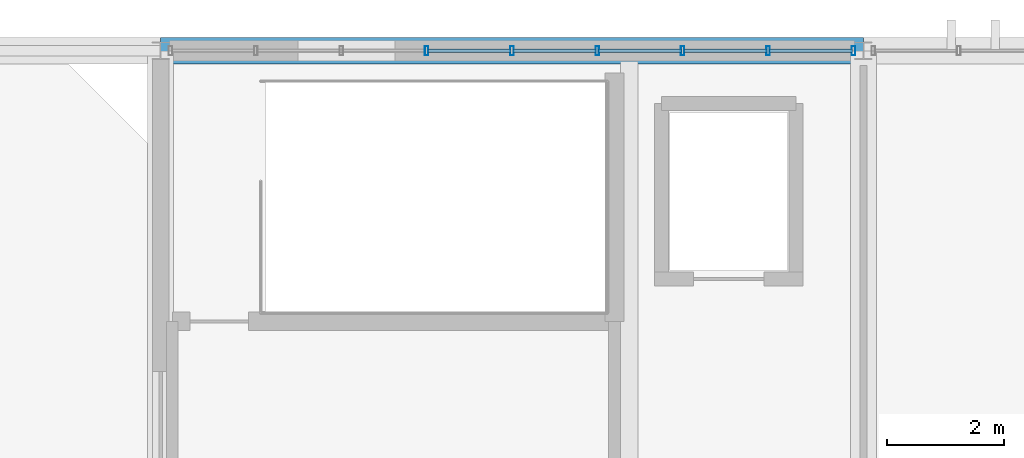
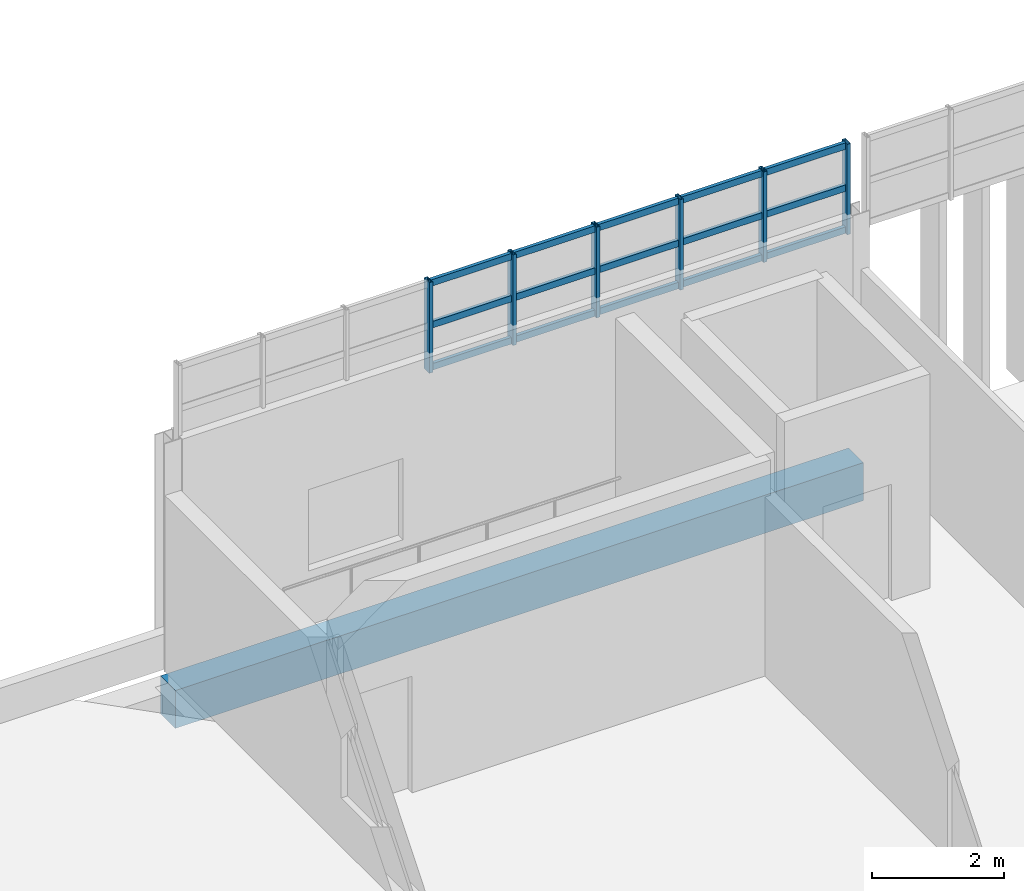
# One storey, part 12 of 36: 21 members, 1 beam, 1 element without a shape of its own.
"""IFC4 building model written with IfcOpenShell, lengths in metres."""

from ifc_helpers import new_model, si_unit, direction, frame, origin, origin_2d, place, context, subcontext, project, spatial, rectangle, hollow_rectangle, extrude, material, layer, layer_set, material_profile, profile_set, type_object, element, aggregate, save


model = new_model("IFC4")

# Units and contexts
model_context = context("Model", 3, precision=1e-05, world=origin(), true_north=direction((0.0, 1.0)))
body_context = subcontext(model_context, "Body", "Model", "MODEL_VIEW")
ifc_project = project(units=[si_unit("LENGTHUNIT", "METRE"), si_unit("AREAUNIT", "SQUARE_METRE"), si_unit("VOLUMEUNIT", "CUBIC_METRE"), si_unit("PLANEANGLEUNIT", "RADIAN"), si_unit("MASSUNIT", "GRAM", prefix="KILO")], contexts=[model_context])

# Site, building, storey
site_placement = place(None, origin())
site = spatial("IfcSite", under=ifc_project, at=site_placement, CompositionType="ELEMENT")
building_placement = place(site_placement, origin())
building = spatial("IfcBuilding", under=site, at=building_placement, Name="Mersad Railyard Sports Hall", CompositionType="ELEMENT")
storey_placement = place(building_placement, frame((0.0, 0.0, 21.60009765625)))
storey = spatial("IfcBuildingStorey", under=building, at=storey_placement, Name="L05", CompositionType="ELEMENT", Elevation=21.60009765625)

# Curtain wall, members
ifc_material_1 = material(Name="Aluminium 6063-T6", Category="aluminium")
ifc_layer = layer(ifc_material_1, 0.159912109375)
ifc_layer_set = layer_set([ifc_layer], Name="Aluminium 6063-T6")
curtain_wall_type = type_object("IfcCurtainWallType", Name="ARC-CW-CW49", PredefinedType="USERDEFINED", material=ifc_layer_set)
curtain_wall_placement = place(storey_placement, origin())
curtain_wall = element("IfcCurtainWall", 1, at=curtain_wall_placement, inside=storey, type_object=curtain_wall_type, Name="Curtain wall CW49-0129", ObjectType="CURTAIN WALL", PredefinedType="USERDEFINED")
ifc_material_profile_1 = material_profile(ifc_material_1, hollow_rectangle(XDim=0.06005859375, YDim=0.159912109375, WallThickness=0.00390625, at=origin_2d()), Name="AL MULLION 60x160x4")
ifc_profile_set_1 = profile_set([ifc_material_profile_1], Name="Aluminium 6063-T6")
member_type_1 = type_object("IfcMemberType", Name="ARC-CW-MUL01", PredefinedType="MULLION", material=ifc_profile_set_1)
member_1_placement = place(storey_placement, frame((71.54248046875, 115.0, 3.829833984375), z_axis=(0.0, 0.0, 1.0), x_axis=(1.0, 0.0, 0.0)))
member_1 = element("IfcMember", 2, at=member_1_placement, type_object=member_type_1, Name="CW49 Mullion 4", PredefinedType="MULLION", context=body_context, shape_type="SweptSolid", body=[
    extrude(hollow_rectangle(XDim=0.06005859375, YDim=0.159912109375, WallThickness=0.00390625, at=origin_2d()), origin(), (0.0, 0.0, 1.0), 1.670166015625),
])
member_2_placement = place(storey_placement, frame((73.0, 115.0, 3.829833984375), z_axis=(0.0, 0.0, 1.0), x_axis=(1.0, 0.0, 0.0)))
member_2 = element("IfcMember", 3, at=member_2_placement, type_object=member_type_1, Name="CW49 Mullion 5", PredefinedType="MULLION", context=body_context, shape_type="SweptSolid", body=[
    extrude(hollow_rectangle(XDim=0.06005859375, YDim=0.159912109375, WallThickness=0.00390625, at=origin_2d()), origin(), (0.0, 0.0, 1.0), 1.670166015625),
])
member_3_placement = place(storey_placement, frame((74.45751953125, 115.0, 3.829833984375), z_axis=(0.0, 0.0, 1.0), x_axis=(1.0, 0.0, 0.0)))
member_3 = element("IfcMember", 4, at=member_3_placement, type_object=member_type_1, Name="CW49 Mullion 6", PredefinedType="MULLION", context=body_context, shape_type="SweptSolid", body=[
    extrude(hollow_rectangle(XDim=0.06005859375, YDim=0.159912109375, WallThickness=0.00390625, at=origin_2d()), origin(), (0.0, 0.0, 1.0), 1.670166015625),
])
member_4_placement = place(storey_placement, frame((75.9150390625, 115.0, 3.829833984375), z_axis=(0.0, 0.0, 1.0), x_axis=(1.0, 0.0, 0.0)))
member_4 = element("IfcMember", 5, at=member_4_placement, type_object=member_type_1, Name="CW49 Mullion 7", PredefinedType="MULLION", context=body_context, shape_type="SweptSolid", body=[
    extrude(hollow_rectangle(XDim=0.06005859375, YDim=0.159912109375, WallThickness=0.00390625, at=origin_2d()), origin(), (0.0, 0.0, 1.0), 1.670166015625),
])
member_5_placement = place(storey_placement, frame((77.37255859375, 115.0, 3.829833984375), z_axis=(0.0, 0.0, 1.0), x_axis=(1.0, 0.0, 0.0)))
member_5 = element("IfcMember", 6, at=member_5_placement, type_object=member_type_1, Name="CW49 Mullion 8", PredefinedType="MULLION", context=body_context, shape_type="SweptSolid", body=[
    extrude(hollow_rectangle(XDim=0.06005859375, YDim=0.159912109375, WallThickness=0.00390625, at=origin_2d()), origin(), (0.0, 0.0, 1.0), 1.670166015625),
])
member_6_placement = place(storey_placement, frame((78.830078125, 115.0, 3.829833984375), z_axis=(0.0, 0.0, 1.0), x_axis=(1.0, 0.0, 0.0)))
member_6 = element("IfcMember", 7, at=member_6_placement, type_object=member_type_1, Name="CW49 Mullion 9", PredefinedType="MULLION", context=body_context, shape_type="SweptSolid", body=[
    extrude(hollow_rectangle(XDim=0.06005859375, YDim=0.159912109375, WallThickness=0.00390625, at=origin_2d()), origin(), (0.0, 0.0, 1.0), 1.670166015625),
])
ifc_material_profile_2 = material_profile(ifc_material_1, hollow_rectangle(XDim=0.06005859375, YDim=0.1201171875, WallThickness=0.00390625, at=origin_2d()), Name="AL TRANSOM 60x120x4")
ifc_profile_set_2 = profile_set([ifc_material_profile_2], Name="Aluminium 6063-T6")
member_type_2 = type_object("IfcMemberType", Name="ARC-CW-TRN01", PredefinedType="USERDEFINED", material=ifc_profile_set_2)
member_7_placement = place(storey_placement, frame((71.5625, 115.0, 3.889892578125), z_axis=(1.0, 0.0, 0.0), x_axis=(0.0, 1.0, 0.0)))
member_7 = element("IfcMember", 8, at=member_7_placement, type_object=member_type_2, Name="CW49 Transom 1-4", ObjectType="TRANSOM", PredefinedType="USERDEFINED", context=body_context, shape_type="SweptSolid", body=[
    extrude(hollow_rectangle(XDim=0.06005859375, YDim=0.1201171875, WallThickness=0.00390625, at=origin_2d()), origin(), (0.0, 0.0, 1.0), 1.41748046875),
])
member_8_placement = place(storey_placement, frame((73.02001953125, 115.0, 3.889892578125), z_axis=(1.0, 0.0, 0.0), x_axis=(0.0, 1.0, 0.0)))
member_8 = element("IfcMember", 9, at=member_8_placement, type_object=member_type_2, Name="CW49 Transom 1-5", ObjectType="TRANSOM", PredefinedType="USERDEFINED", context=body_context, shape_type="SweptSolid", body=[
    extrude(hollow_rectangle(XDim=0.06005859375, YDim=0.1201171875, WallThickness=0.00390625, at=origin_2d()), origin(), (0.0, 0.0, 1.0), 1.41748046875),
])
member_9_placement = place(storey_placement, frame((74.4775390625, 115.0, 3.889892578125), z_axis=(1.0, 0.0, 0.0), x_axis=(0.0, 1.0, 0.0)))
member_9 = element("IfcMember", 10, at=member_9_placement, type_object=member_type_2, Name="CW49 Transom 1-6", ObjectType="TRANSOM", PredefinedType="USERDEFINED", context=body_context, shape_type="SweptSolid", body=[
    extrude(hollow_rectangle(XDim=0.06005859375, YDim=0.1201171875, WallThickness=0.00390625, at=origin_2d()), origin(), (0.0, 0.0, 1.0), 1.41748046875),
])
member_10_placement = place(storey_placement, frame((75.93505859375, 115.0, 3.889892578125), z_axis=(1.0, 0.0, 0.0), x_axis=(0.0, 1.0, 0.0)))
member_10 = element("IfcMember", 11, at=member_10_placement, type_object=member_type_2, Name="CW49 Transom 1-7", ObjectType="TRANSOM", PredefinedType="USERDEFINED", context=body_context, shape_type="SweptSolid", body=[
    extrude(hollow_rectangle(XDim=0.06005859375, YDim=0.1201171875, WallThickness=0.00390625, at=origin_2d()), origin(), (0.0, 0.0, 1.0), 1.41748046875),
])
member_11_placement = place(storey_placement, frame((77.392578125, 115.0, 3.889892578125), z_axis=(1.0, 0.0, 0.0), x_axis=(0.0, 1.0, 0.0)))
member_11 = element("IfcMember", 12, at=member_11_placement, type_object=member_type_2, Name="CW49 Transom 1-8", ObjectType="TRANSOM", PredefinedType="USERDEFINED", context=body_context, shape_type="SweptSolid", body=[
    extrude(hollow_rectangle(XDim=0.06005859375, YDim=0.1201171875, WallThickness=0.00390625, at=origin_2d()), origin(), (0.0, 0.0, 1.0), 1.41748046875),
])
member_12_placement = place(storey_placement, frame((71.5625, 115.0, 4.664794921875), z_axis=(1.0, 0.0, 0.0), x_axis=(0.0, 1.0, 0.0)))
member_12 = element("IfcMember", 13, at=member_12_placement, type_object=member_type_2, Name="CW49 Transom 2-4", ObjectType="TRANSOM", PredefinedType="USERDEFINED", context=body_context, shape_type="SweptSolid", body=[
    extrude(hollow_rectangle(XDim=0.06005859375, YDim=0.1201171875, WallThickness=0.00390625, at=origin_2d()), origin(), (0.0, 0.0, 1.0), 1.41748046875),
])
member_13_placement = place(storey_placement, frame((73.02001953125, 115.0, 4.664794921875), z_axis=(1.0, 0.0, 0.0), x_axis=(0.0, 1.0, 0.0)))
member_13 = element("IfcMember", 14, at=member_13_placement, type_object=member_type_2, Name="CW49 Transom 2-5", ObjectType="TRANSOM", PredefinedType="USERDEFINED", context=body_context, shape_type="SweptSolid", body=[
    extrude(hollow_rectangle(XDim=0.06005859375, YDim=0.1201171875, WallThickness=0.00390625, at=origin_2d()), origin(), (0.0, 0.0, 1.0), 1.41748046875),
])
member_14_placement = place(storey_placement, frame((74.4775390625, 115.0, 4.664794921875), z_axis=(1.0, 0.0, 0.0), x_axis=(0.0, 1.0, 0.0)))
member_14 = element("IfcMember", 15, at=member_14_placement, type_object=member_type_2, Name="CW49 Transom 2-6", ObjectType="TRANSOM", PredefinedType="USERDEFINED", context=body_context, shape_type="SweptSolid", body=[
    extrude(hollow_rectangle(XDim=0.06005859375, YDim=0.1201171875, WallThickness=0.00390625, at=origin_2d()), origin(), (0.0, 0.0, 1.0), 1.41748046875),
])
member_15_placement = place(storey_placement, frame((75.93505859375, 115.0, 4.664794921875), z_axis=(1.0, 0.0, 0.0), x_axis=(0.0, 1.0, 0.0)))
member_15 = element("IfcMember", 16, at=member_15_placement, type_object=member_type_2, Name="CW49 Transom 2-7", ObjectType="TRANSOM", PredefinedType="USERDEFINED", context=body_context, shape_type="SweptSolid", body=[
    extrude(hollow_rectangle(XDim=0.06005859375, YDim=0.1201171875, WallThickness=0.00390625, at=origin_2d()), origin(), (0.0, 0.0, 1.0), 1.41748046875),
])
member_16_placement = place(storey_placement, frame((77.392578125, 115.0, 4.664794921875), z_axis=(1.0, 0.0, 0.0), x_axis=(0.0, 1.0, 0.0)))
member_16 = element("IfcMember", 17, at=member_16_placement, type_object=member_type_2, Name="CW49 Transom 2-8", ObjectType="TRANSOM", PredefinedType="USERDEFINED", context=body_context, shape_type="SweptSolid", body=[
    extrude(hollow_rectangle(XDim=0.06005859375, YDim=0.1201171875, WallThickness=0.00390625, at=origin_2d()), origin(), (0.0, 0.0, 1.0), 1.41748046875),
])
member_17_placement = place(storey_placement, frame((71.5625, 115.0, 5.43994140625), z_axis=(1.0, 0.0, 0.0), x_axis=(0.0, 1.0, 0.0)))
member_17 = element("IfcMember", 18, at=member_17_placement, type_object=member_type_2, Name="CW49 Transom 3-4", ObjectType="TRANSOM", PredefinedType="USERDEFINED", context=body_context, shape_type="SweptSolid", body=[
    extrude(hollow_rectangle(XDim=0.06005859375, YDim=0.1201171875, WallThickness=0.00390625, at=origin_2d()), origin(), (0.0, 0.0, 1.0), 1.41748046875),
])
member_18_placement = place(storey_placement, frame((73.02001953125, 115.0, 5.43994140625), z_axis=(1.0, 0.0, 0.0), x_axis=(0.0, 1.0, 0.0)))
member_18 = element("IfcMember", 19, at=member_18_placement, type_object=member_type_2, Name="CW49 Transom 3-5", ObjectType="TRANSOM", PredefinedType="USERDEFINED", context=body_context, shape_type="SweptSolid", body=[
    extrude(hollow_rectangle(XDim=0.06005859375, YDim=0.1201171875, WallThickness=0.00390625, at=origin_2d()), origin(), (0.0, 0.0, 1.0), 1.41748046875),
])
member_19_placement = place(storey_placement, frame((74.4775390625, 115.0, 5.43994140625), z_axis=(1.0, 0.0, 0.0), x_axis=(0.0, 1.0, 0.0)))
member_19 = element("IfcMember", 20, at=member_19_placement, type_object=member_type_2, Name="CW49 Transom 3-6", ObjectType="TRANSOM", PredefinedType="USERDEFINED", context=body_context, shape_type="SweptSolid", body=[
    extrude(hollow_rectangle(XDim=0.06005859375, YDim=0.1201171875, WallThickness=0.00390625, at=origin_2d()), origin(), (0.0, 0.0, 1.0), 1.41748046875),
])
member_20_placement = place(storey_placement, frame((75.93505859375, 115.0, 5.43994140625), z_axis=(1.0, 0.0, 0.0), x_axis=(0.0, 1.0, 0.0)))
member_20 = element("IfcMember", 21, at=member_20_placement, type_object=member_type_2, Name="CW49 Transom 3-7", ObjectType="TRANSOM", PredefinedType="USERDEFINED", context=body_context, shape_type="SweptSolid", body=[
    extrude(hollow_rectangle(XDim=0.06005859375, YDim=0.1201171875, WallThickness=0.00390625, at=origin_2d()), origin(), (0.0, 0.0, 1.0), 1.41748046875),
])
member_21_placement = place(storey_placement, frame((77.392578125, 115.0, 5.43994140625), z_axis=(1.0, 0.0, 0.0), x_axis=(0.0, 1.0, 0.0)))
member_21 = element("IfcMember", 22, at=member_21_placement, type_object=member_type_2, Name="CW49 Transom 3-8", ObjectType="TRANSOM", PredefinedType="USERDEFINED", context=body_context, shape_type="SweptSolid", body=[
    extrude(hollow_rectangle(XDim=0.06005859375, YDim=0.1201171875, WallThickness=0.00390625, at=origin_2d()), origin(), (0.0, 0.0, 1.0), 1.41748046875),
])
aggregate(curtain_wall, [member_1, member_2, member_3, member_4, member_5, member_6, member_7, member_8, member_9, member_10, member_11, member_12, member_13, member_14, member_15, member_16, member_17, member_18, member_19, member_20, member_21])

# Beam
ifc_material_2 = material(Name="Architectural concrete C40/50", Category="concrete")
ifc_material_profile_3 = material_profile(ifc_material_2, rectangle(XDim=0.449951171875, YDim=0.699951171875, at=origin_2d()), Name="RC 450x700")
ifc_profile_set_3 = profile_set([ifc_material_profile_3], Name="Architectural concrete C40/50")
beam_type = type_object("IfcBeamType", Name="STR-BM-SP01", PredefinedType="SPANDREL", material=ifc_profile_set_3)
beam_placement = place(storey_placement, frame((67.0, 115.0, -0.7001953125), z_axis=(1.0, 0.0, 0.0), x_axis=(0.0, 1.0, 0.0)))
element("IfcBeam", 23, at=beam_placement, inside=storey, type_object=beam_type, Name="Beam SP01-1422", PredefinedType="SPANDREL", context=body_context, shape_type="SweptSolid", body=[
    extrude(rectangle(XDim=0.449951171875, YDim=0.699951171875, at=origin_2d()), origin(), (0.0, 0.0, 1.0), 12.0),
])

save(model, "model.ifc")
